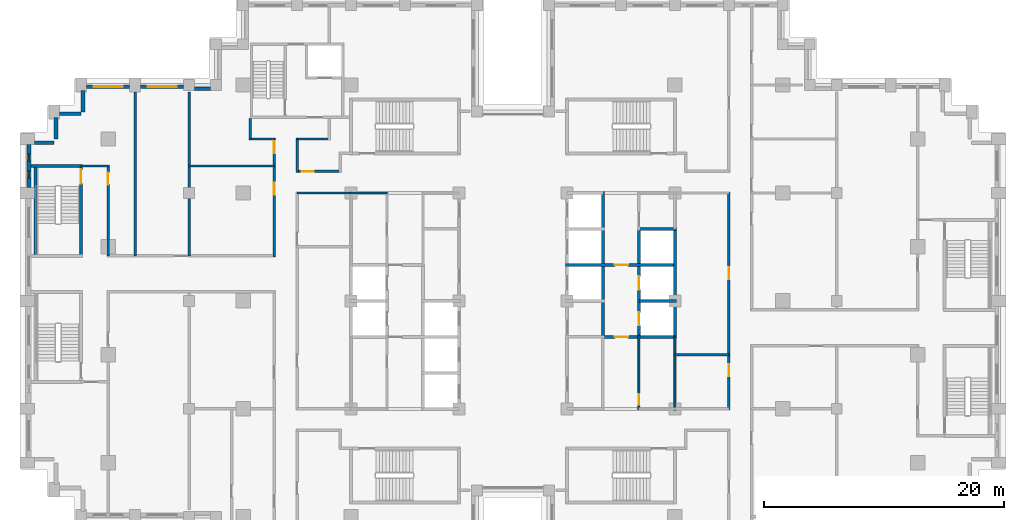
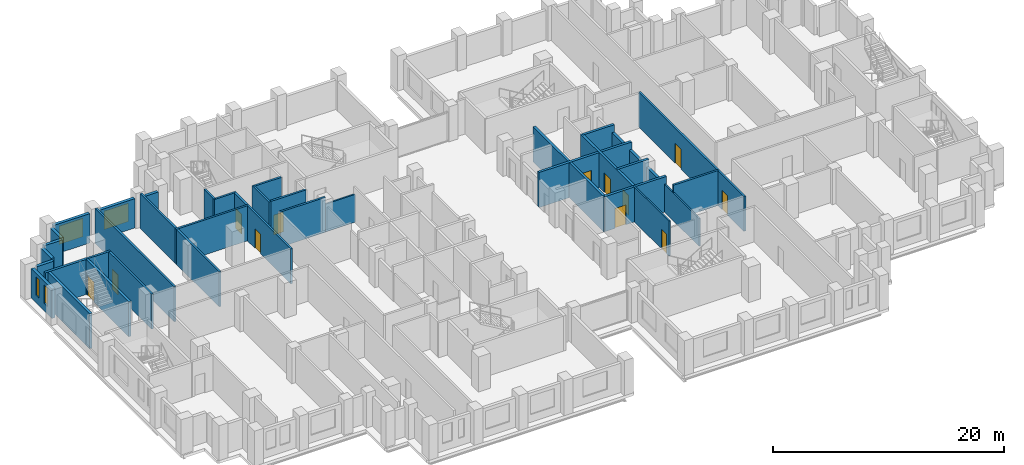
# One storey, part 9 of 15: 35 walls, 12 doors, 4 windows, 16 openings.
"""IFC4 building model written with IfcOpenShell, lengths in metres."""

from ifc_helpers import new_model, si_unit, direction, frame, frame_2d, origin, place, context, subcontext, project, spatial, rectangle, extrude, material, layer, layer_set, type_object, element, fill, save


model = new_model("IFC4")

# Units and contexts
model_context = context("Model", 3, precision=1e-05, world=origin(), true_north=direction((0.0, 1.0)))
body_context = subcontext(model_context, "Body", "Model", "MODEL_VIEW")
ifc_project = project(units=[si_unit("LENGTHUNIT", "METRE"), si_unit("AREAUNIT", "SQUARE_METRE"), si_unit("VOLUMEUNIT", "CUBIC_METRE"), si_unit("PLANEANGLEUNIT", "RADIAN"), si_unit("MASSUNIT", "GRAM", prefix="KILO")], contexts=[model_context])

# Site, building, storey
site_placement = place(None, origin())
site = spatial("IfcSite", under=ifc_project, at=site_placement, CompositionType="ELEMENT")
building_placement = place(site_placement, origin())
building = spatial("IfcBuilding", under=site, at=building_placement, Name="Corbelhall Arena Tower", CompositionType="ELEMENT")
storey_placement = place(building_placement, frame((0.0, 0.0, 92.0)))
storey = spatial("IfcBuildingStorey", under=building, at=storey_placement, Name="L15", CompositionType="ELEMENT", Elevation=92.0)

# Walls
ifc_material_1 = material(Name="Precast concrete C40/50 with granite facing", Category="masonry")
ifc_layer_1 = layer(ifc_material_1, 0.300048828125)
ifc_layer_set_1 = layer_set([ifc_layer_1], Name="EV-IW1 Infill panel 300")
wall_type_1 = type_object("IfcWallType", Name="EV-IW1 Infill panel 300", PredefinedType="SOLIDWALL", material=ifc_layer_set_1)
for number, where, z_axis, x_axis, name in (
    (1, (-35.85009765625, 17.550048828125, 0.0), (0.0, 0.0, 1.0), (0.0, -1.0, 0.0), "Infill panel IW1"),
    (2, (-37.800048828125, 15.60009765625, 0.0), (0.0, 0.0, 1.0), (1.0, 0.0, 0.0), "Infill panel IW1"),
    (3, (-38.10009765625, 15.300048828125, 0.0), (0.0, 0.0, 1.0), (0.0, -1.0, 0.0), "Infill panel IW1"),
):
    element("IfcWall", number, at=place(storey_placement, frame(where, z_axis=z_axis, x_axis=x_axis)), inside=storey, type_object=wall_type_1, Name=name, PredefinedType="SOLIDWALL", context=body_context, shape_type="SweptSolid", body=[
        extrude(rectangle(XDim=1.800048828125, YDim=0.300048828125, at=frame_2d((0.89990234375, 0.0))), origin(), (0.0, 0.0, 1.0), 3.10009765625),
    ])
wall_1_placement = place(storey_placement, frame((-39.89990234375, 13.199951171875, 0.0), z_axis=(0.0, 0.0, 1.0), x_axis=(1.0, 0.0, 0.0)))
element("IfcWall", 4, at=wall_1_placement, inside=storey, type_object=wall_type_1, Name="Infill panel IW1", PredefinedType="SOLIDWALL", context=body_context, shape_type="SweptSolid", body=[
    extrude(rectangle(XDim=1.64990234375, YDim=0.300048828125, at=frame_2d((0.824951171875, 0.0))), origin(), (0.0, 0.0, 1.0), 3.10009765625),
])
wall_2_placement = place(storey_placement, frame((-25.199951171875, 17.699951171875, 0.0), z_axis=(0.0, 0.0, 1.0), x_axis=(-1.0, 0.0, 0.0)))
element("IfcWall", 5, at=wall_2_placement, inside=storey, type_object=wall_type_1, Name="Infill panel IW1", PredefinedType="SOLIDWALL", context=body_context, shape_type="SweptSolid", body=[
    extrude(rectangle(XDim=1.35009765625, YDim=0.300048828125, at=frame_2d((0.675048828125, 0.0))), origin(), (0.0, 0.0, 1.0), 3.10009765625),
])

# Wall, opening, window
wall_3_placement = place(storey_placement, frame((-27.449951171875, 17.85009765625, 0.0), z_axis=(0.0, 0.0, 1.0), x_axis=(-1.0, 0.0, 0.0)))
wall_3 = element("IfcWall", 6, at=wall_3_placement, inside=storey, type_object=wall_type_1, Name="Infill panel IW1", PredefinedType="SOLIDWALL", context=body_context, shape_type="SweptSolid", body=[
    extrude(rectangle(XDim=3.60009765625, YDim=0.300048828125, at=frame_2d((1.800048828125, 0.0))), origin(), (0.0, 0.0, 1.0), 3.10009765625),
])
opening_1_placement = place(wall_3_placement, frame((0.60009765625, 0.0, 0.800048828125)))
opening_1 = element("IfcOpeningElement", 7, at=opening_1_placement, cuts=wall_3, Name="Opening WN1", PredefinedType="OPENING", context=body_context, shape_type="SweptSolid", body=[
    extrude(rectangle(XDim=2.39990234375, YDim=1.949951171875, at=frame_2d((1.199951171875, 0.97509765625))), frame((0.0, 0.14990234375, 0.0), z_axis=(0.0, -1.0, 0.0), x_axis=(1.0, 0.0, 0.0)), (0.0, 0.0, 1.0), 0.300048828125),
])
ifc_material_2 = material(Name="Aluminium black anodised", Category="aluminium")
window_type_1 = type_object("IfcWindowType", Name="EV-WN1 Office window", PartitioningType="SINGLE_PANEL", PredefinedType="WINDOW", material=ifc_material_2)
window_1_placement = place(opening_1_placement, origin())
window_1 = element("IfcWindow", 8, at=window_1_placement, inside=storey, type_object=window_type_1, Name="Window WN1", OverallHeight=1.949951171875, OverallWidth=2.39990234375, PartitioningType="SINGLE_PANEL", PredefinedType="WINDOW", context=body_context, shape_type="SweptSolid", body=[
    extrude(rectangle(XDim=2.39990234375, YDim=1.949951171875, at=frame_2d((1.199951171875, 0.97509765625))), frame((0.0, 0.030029296875, 0.0), z_axis=(0.0, -1.0, 0.0), x_axis=(1.0, 0.0, 0.0)), (0.0, 0.0, 1.0), 0.06005859375),
])
fill(opening_1, window_1)

wall_4_placement = place(storey_placement, frame((-31.949951171875, 17.85009765625, 0.0), z_axis=(0.0, 0.0, 1.0), x_axis=(-1.0, 0.0, 0.0)))
wall_4 = element("IfcWall", 9, at=wall_4_placement, inside=storey, type_object=wall_type_1, Name="Infill panel IW1", PredefinedType="SOLIDWALL", context=body_context, shape_type="SweptSolid", body=[
    extrude(rectangle(XDim=3.60009765625, YDim=0.300048828125, at=frame_2d((1.800048828125, 0.0))), origin(), (0.0, 0.0, 1.0), 3.10009765625),
])
opening_2_placement = place(wall_4_placement, frame((0.60009765625, 0.0, 0.800048828125)))
opening_2 = element("IfcOpeningElement", 10, at=opening_2_placement, cuts=wall_4, Name="Opening WN1", PredefinedType="OPENING", context=body_context, shape_type="SweptSolid", body=[
    extrude(rectangle(XDim=2.39990234375, YDim=1.949951171875, at=frame_2d((1.199951171875, 0.97509765625))), frame((0.0, 0.14990234375, 0.0), z_axis=(0.0, -1.0, 0.0), x_axis=(1.0, 0.0, 0.0)), (0.0, 0.0, 1.0), 0.300048828125),
])
window_2_placement = place(opening_2_placement, origin())
window_2 = element("IfcWindow", 11, at=window_2_placement, inside=storey, type_object=window_type_1, Name="Window WN1", OverallHeight=1.949951171875, OverallWidth=2.39990234375, PartitioningType="SINGLE_PANEL", PredefinedType="WINDOW", context=body_context, shape_type="SweptSolid", body=[
    extrude(rectangle(XDim=2.39990234375, YDim=1.949951171875, at=frame_2d((1.199951171875, 0.97509765625))), frame((0.0, 0.030029296875, 0.0), z_axis=(0.0, -1.0, 0.0), x_axis=(1.0, 0.0, 0.0)), (0.0, 0.0, 1.0), 0.06005859375),
])
fill(opening_2, window_2)

# Wall, openings, windows
wall_5_placement = place(storey_placement, frame((-40.35009765625, 13.050048828125, 0.0), z_axis=(0.0, 0.0, 1.0), x_axis=(0.0, -1.0, 0.0)))
wall_5 = element("IfcWall", 12, at=wall_5_placement, inside=storey, type_object=wall_type_1, Name="Infill panel IW1", PredefinedType="SOLIDWALL", context=body_context, shape_type="SweptSolid", body=[
    extrude(rectangle(XDim=3.60009765625, YDim=0.300048828125, at=frame_2d((1.800048828125, 0.0))), origin(), (0.0, 0.0, 1.0), 3.10009765625),
])
opening_3_placement = place(wall_5_placement, frame((0.78759765625, 0.0, 0.800048828125)))
opening_3 = element("IfcOpeningElement", 13, at=opening_3_placement, cuts=wall_5, Name="Opening WN5", PredefinedType="OPENING", context=body_context, shape_type="SweptSolid", body=[
    extrude(rectangle(XDim=0.60009765625, YDim=1.949951171875, at=frame_2d((0.300048828125, 0.97509765625))), frame((0.0, 0.14990234375, 0.0), z_axis=(0.0, -1.0, 0.0), x_axis=(1.0, 0.0, 0.0)), (0.0, 0.0, 1.0), 0.300048828125),
])
opening_4_placement = place(wall_5_placement, frame((2.21240234375, 0.0, 0.800048828125)))
opening_4 = element("IfcOpeningElement", 14, at=opening_4_placement, cuts=wall_5, Name="Opening WN5", PredefinedType="OPENING", context=body_context, shape_type="SweptSolid", body=[
    extrude(rectangle(XDim=0.60009765625, YDim=1.949951171875, at=frame_2d((0.300048828125, 0.97509765625))), frame((0.0, 0.14990234375, 0.0), z_axis=(0.0, -1.0, 0.0), x_axis=(1.0, 0.0, 0.0)), (0.0, 0.0, 1.0), 0.300048828125),
])
window_type_2 = type_object("IfcWindowType", Name="EV-WN5 Office window 600", PartitioningType="SINGLE_PANEL", PredefinedType="WINDOW", material=ifc_material_2)
window_3_placement = place(opening_3_placement, origin())
window_3 = element("IfcWindow", 15, at=window_3_placement, inside=storey, type_object=window_type_2, Name="Window WN5", OverallHeight=1.949951171875, OverallWidth=0.60009765625, PartitioningType="SINGLE_PANEL", PredefinedType="WINDOW", context=body_context, shape_type="SweptSolid", body=[
    extrude(rectangle(XDim=0.60009765625, YDim=1.949951171875, at=frame_2d((0.300048828125, 0.97509765625))), frame((0.0, 0.030029296875, 0.0), z_axis=(0.0, -1.0, 0.0), x_axis=(1.0, 0.0, 0.0)), (0.0, 0.0, 1.0), 0.06005859375),
])
fill(opening_3, window_3)
window_4_placement = place(opening_4_placement, origin())
window_4 = element("IfcWindow", 16, at=window_4_placement, inside=storey, type_object=window_type_2, Name="Window WN5", OverallHeight=1.949951171875, OverallWidth=0.60009765625, PartitioningType="SINGLE_PANEL", PredefinedType="WINDOW", context=body_context, shape_type="SweptSolid", body=[
    extrude(rectangle(XDim=0.60009765625, YDim=1.949951171875, at=frame_2d((0.300048828125, 0.97509765625))), frame((0.0, 0.030029296875, 0.0), z_axis=(0.0, -1.0, 0.0), x_axis=(1.0, 0.0, 0.0)), (0.0, 0.0, 1.0), 0.06005859375),
])
fill(opening_4, window_4)

# Wall
ifc_material_3 = material(Name="Gypsum board on steel stud, acoustic", Category="steel")
ifc_layer_2 = layer(ifc_material_3, 0.199951171875)
ifc_layer_set_2 = layer_set([ifc_layer_2], Name="IN-W-DM200")
wall_type_2 = type_object("IfcWallType", Name="IN-W-DM200", PredefinedType="PARTITIONING", material=ifc_layer_set_2)
wall_6_placement = place(storey_placement, frame((-36.0, 11.25, 0.0), z_axis=(0.0, 0.0, 1.0), x_axis=(1.0, 0.0, 0.0)))
element("IfcWall", 17, at=wall_6_placement, inside=storey, type_object=wall_type_2, Name="Partition 001", PredefinedType="PARTITIONING", context=body_context, shape_type="SweptSolid", body=[
    extrude(rectangle(XDim=2.35009765625, YDim=0.199951171875, at=frame_2d((1.175048828125, 0.0))), origin(), (0.0, 0.0, 1.0), 3.699951171875),
])

# Wall, opening, door
wall_7_placement = place(storey_placement, frame((-33.75, 11.25, 0.0), z_axis=(0.0, 0.0, 1.0), x_axis=(0.0, -1.0, 0.0)))
wall_7 = element("IfcWall", 18, at=wall_7_placement, inside=storey, type_object=wall_type_2, Name="Partition 004", PredefinedType="PARTITIONING", context=body_context, shape_type="SweptSolid", body=[
    extrude(rectangle(XDim=7.5, YDim=0.199951171875, at=frame_2d((3.75, 0.0))), origin(), (0.0, 0.0, 1.0), 3.699951171875),
])
opening_5_placement = place(wall_7_placement, frame((0.550048828125, 0.0, 0.0)))
opening_5 = element("IfcOpeningElement", 19, at=opening_5_placement, cuts=wall_7, Name="Opening 03041", PredefinedType="OPENING", context=body_context, shape_type="SweptSolid", body=[
    extrude(rectangle(XDim=1.0, YDim=2.10009765625, at=frame_2d((0.5, 1.050048828125))), frame((0.0, 0.10009765625, 0.0), z_axis=(0.0, -1.0, 0.0), x_axis=(1.0, 0.0, 0.0)), (0.0, 0.0, 1.0), 0.199951171875),
])
ifc_material_4 = material(Name="Steel door set", Category="steel")
door_type_1 = type_object("IfcDoorType", Name="IN-D-SW100", OperationType="NOTDEFINED", PredefinedType="DOOR", material=ifc_material_4)
door_1_placement = place(opening_5_placement, origin())
door_1 = element("IfcDoor", 20, at=door_1_placement, inside=storey, type_object=door_type_1, Name="Door 041", OperationType="SINGLE_SWING_RIGHT", OverallHeight=2.10009765625, OverallWidth=1.0, PredefinedType="DOOR", context=body_context, shape_type="SweptSolid", body=[
    extrude(rectangle(XDim=1.0, YDim=2.10009765625, at=frame_2d((0.5, 1.050048828125))), frame((0.0, 0.02490234375, 0.0), z_axis=(0.0, -1.0, 0.0), x_axis=(1.0, 0.0, 0.0)), (0.0, 0.0, 1.0), 0.050048828125),
])
fill(opening_5, door_1)

# Walls
wall_8_placement = place(storey_placement, frame((-31.5, 17.39990234375, 0.0), z_axis=(0.0, 0.0, 1.0), x_axis=(0.0, -1.0, 0.0)))
element("IfcWall", 21, at=wall_8_placement, inside=storey, type_object=wall_type_2, Name="Partition 006", PredefinedType="PARTITIONING", context=body_context, shape_type="SweptSolid", body=[
    extrude(rectangle(XDim=13.64990234375, YDim=0.199951171875, at=frame_2d((6.824951171875, 0.0))), origin(), (0.0, 0.0, 1.0), 3.699951171875),
])
wall_9_placement = place(storey_placement, frame((-27.10009765625, 11.25, 0.0), z_axis=(0.0, 0.0, 1.0), x_axis=(1.0, 0.0, 0.0)))
element("IfcWall", 22, at=wall_9_placement, inside=storey, type_object=wall_type_2, Name="Partition 008", PredefinedType="PARTITIONING", context=body_context, shape_type="SweptSolid", body=[
    extrude(rectangle(XDim=7.2001953125, YDim=0.199951171875, at=frame_2d((3.60009765625, 0.0))), origin(), (0.0, 0.0, 1.0), 3.699951171875),
])
wall_10_placement = place(storey_placement, frame((-27.0, 3.75, 0.0), z_axis=(0.0, 0.0, 1.0), x_axis=(0.0, 1.0, 0.0)))
element("IfcWall", 23, at=wall_10_placement, inside=storey, type_object=wall_type_2, Name="Partition 010", PredefinedType="PARTITIONING", context=body_context, shape_type="SweptSolid", body=[
    extrude(rectangle(XDim=13.64990234375, YDim=0.199951171875, at=frame_2d((6.824951171875, 0.0))), origin(), (0.0, 0.0, 1.0), 3.699951171875),
])
wall_11_placement = place(storey_placement, frame((-21.89990234375, 13.5, 0.0), z_axis=(0.0, 0.0, 1.0), x_axis=(0.0, 1.0, 0.0)))
element("IfcWall", 24, at=wall_11_placement, inside=storey, type_object=wall_type_2, Name="Partition 013", PredefinedType="PARTITIONING", context=body_context, shape_type="SweptSolid", body=[
    extrude(rectangle(XDim=1.699951171875, YDim=0.199951171875, at=frame_2d((0.85009765625, 0.0))), origin(), (0.0, 0.0, 1.0), 3.699951171875),
])

# Wall, openings, doors
wall_12_placement = place(storey_placement, frame((-19.89990234375, 3.64990234375, 0.0), z_axis=(0.0, 0.0, 1.0), x_axis=(0.0, 1.0, 0.0)))
wall_12 = element("IfcWall", 25, at=wall_12_placement, inside=storey, type_object=wall_type_2, Name="Partition 015", PredefinedType="PARTITIONING", context=body_context, shape_type="SweptSolid", body=[
    extrude(rectangle(XDim=9.9501953125, YDim=0.199951171875, at=frame_2d((4.97509765625, 0.0))), origin(), (0.0, 0.0, 1.0), 3.699951171875),
])
opening_6_placement = place(wall_12_placement, frame((5.199951171875, 0.0, 0.0)))
opening_6 = element("IfcOpeningElement", 26, at=opening_6_placement, cuts=wall_12, Name="Opening 03029", PredefinedType="OPENING", context=body_context, shape_type="SweptSolid", body=[
    extrude(rectangle(XDim=1.0, YDim=2.10009765625, at=frame_2d((0.5, 1.050048828125))), frame((0.0, 0.10009765625, 0.0), z_axis=(0.0, -1.0, 0.0), x_axis=(1.0, 0.0, 0.0)), (0.0, 0.0, 1.0), 0.199951171875),
])
opening_7_placement = place(wall_12_placement, frame((8.64990234375, 0.0, 0.0)))
opening_7 = element("IfcOpeningElement", 27, at=opening_7_placement, cuts=wall_12, Name="Opening 03030", PredefinedType="OPENING", context=body_context, shape_type="SweptSolid", body=[
    extrude(rectangle(XDim=1.0, YDim=2.10009765625, at=frame_2d((0.5, 1.050048828125))), frame((0.0, 0.10009765625, 0.0), z_axis=(0.0, -1.0, 0.0), x_axis=(1.0, 0.0, 0.0)), (0.0, 0.0, 1.0), 0.199951171875),
])
door_2_placement = place(opening_6_placement, origin())
door_2 = element("IfcDoor", 28, at=door_2_placement, inside=storey, type_object=door_type_1, Name="Door 029", OperationType="SINGLE_SWING_RIGHT", OverallHeight=2.10009765625, OverallWidth=1.0, PredefinedType="DOOR", context=body_context, shape_type="SweptSolid", body=[
    extrude(rectangle(XDim=1.0, YDim=2.10009765625, at=frame_2d((0.5, 1.050048828125))), frame((0.0, 0.02490234375, 0.0), z_axis=(0.0, -1.0, 0.0), x_axis=(1.0, 0.0, 0.0)), (0.0, 0.0, 1.0), 0.050048828125),
])
fill(opening_6, door_2)
door_3_placement = place(opening_7_placement, origin())
door_3 = element("IfcDoor", 29, at=door_3_placement, inside=storey, type_object=door_type_1, Name="Door 030", OperationType="SINGLE_SWING_LEFT", OverallHeight=2.10009765625, OverallWidth=1.0, PredefinedType="DOOR", context=body_context, shape_type="SweptSolid", body=[
    extrude(rectangle(XDim=1.0, YDim=2.10009765625, at=frame_2d((0.5, 1.050048828125))), frame((0.0, 0.02490234375, 0.0), z_axis=(0.0, -1.0, 0.0), x_axis=(1.0, 0.0, 0.0)), (0.0, 0.0, 1.0), 0.050048828125),
])
fill(opening_7, door_3)

# Wall
wall_13_placement = place(storey_placement, frame((-19.89990234375, 13.5, 0.0), z_axis=(0.0, 0.0, 1.0), x_axis=(-1.0, 0.0, 0.0)))
element("IfcWall", 30, at=wall_13_placement, inside=storey, type_object=wall_type_2, Name="Partition 016", PredefinedType="PARTITIONING", context=body_context, shape_type="SweptSolid", body=[
    extrude(rectangle(XDim=2.10009765625, YDim=0.199951171875, at=frame_2d((1.050048828125, 0.0))), origin(), (0.0, 0.0, 1.0), 3.699951171875),
])

# Wall, opening, door
wall_14_placement = place(storey_placement, frame((-18.0, 10.800048828125, 0.0), z_axis=(0.0, 0.0, 1.0), x_axis=(1.0, 0.0, 0.0)))
wall_14 = element("IfcWall", 31, at=wall_14_placement, inside=storey, type_object=wall_type_2, Name="Partition 021", PredefinedType="PARTITIONING", context=body_context, shape_type="SweptSolid", body=[
    extrude(rectangle(XDim=3.60009765625, YDim=0.199951171875, at=frame_2d((1.800048828125, 0.0))), origin(), (0.0, 0.0, 1.0), 3.699951171875),
])
opening_8_placement = place(wall_14_placement, frame((0.39990234375, 0.0, 0.0)))
opening_8 = element("IfcOpeningElement", 32, at=opening_8_placement, cuts=wall_14, Name="Opening 03025", PredefinedType="OPENING", context=body_context, shape_type="SweptSolid", body=[
    extrude(rectangle(XDim=1.0, YDim=2.10009765625, at=frame_2d((0.5, 1.050048828125))), frame((0.0, 0.10009765625, 0.0), z_axis=(0.0, -1.0, 0.0), x_axis=(1.0, 0.0, 0.0)), (0.0, 0.0, 1.0), 0.199951171875),
])
door_4_placement = place(opening_8_placement, origin())
door_4 = element("IfcDoor", 33, at=door_4_placement, inside=storey, type_object=door_type_1, Name="Door 025", OperationType="SINGLE_SWING_RIGHT", OverallHeight=2.10009765625, OverallWidth=1.0, PredefinedType="DOOR", context=body_context, shape_type="SweptSolid", body=[
    extrude(rectangle(XDim=1.0, YDim=2.10009765625, at=frame_2d((0.5, 1.050048828125))), frame((0.0, 0.02490234375, 0.0), z_axis=(0.0, -1.0, 0.0), x_axis=(1.0, 0.0, 0.0)), (0.0, 0.0, 1.0), 0.050048828125),
])
fill(opening_8, door_4)

# Walls
wall_15_placement = place(storey_placement, frame((-18.0, 13.60009765625, 0.0), z_axis=(0.0, 0.0, 1.0), x_axis=(0.0, -1.0, 0.0)))
element("IfcWall", 34, at=wall_15_placement, inside=storey, type_object=wall_type_2, Name="Partition 022", PredefinedType="PARTITIONING", context=body_context, shape_type="SweptSolid", body=[
    extrude(rectangle(XDim=2.900146484375, YDim=0.199951171875, at=frame_2d((1.4501953125, 0.0))), origin(), (0.0, 0.0, 1.0), 3.699951171875),
])
wall_16_placement = place(storey_placement, frame((-15.300048828125, 13.5, 0.0), z_axis=(0.0, 0.0, 1.0), x_axis=(-1.0, 0.0, 0.0)))
element("IfcWall", 35, at=wall_16_placement, inside=storey, type_object=wall_type_2, Name="Partition 023", PredefinedType="PARTITIONING", context=body_context, shape_type="SweptSolid", body=[
    extrude(rectangle(XDim=2.699951171875, YDim=0.199951171875, at=frame_2d((1.35009765625, 0.0))), origin(), (0.0, 0.0, 1.0), 3.699951171875),
])
for number, where, z_axis, x_axis, name in (
    (36, (-13.5, 9.0, 0.0), (0.0, 0.0, 1.0), (-1.0, 0.0, 0.0), "Partition 029"),
    (37, (13.5, -4.5, 0.0), (0.0, 0.0, 1.0), (1.0, 0.0, 0.0), "Partition 038"),
):
    element("IfcWall", number, at=place(storey_placement, frame(where, z_axis=z_axis, x_axis=x_axis)), inside=storey, type_object=wall_type_2, Name=name, PredefinedType="PARTITIONING", context=body_context, shape_type="SweptSolid", body=[
        extrude(rectangle(XDim=4.5, YDim=0.199951171875, at=frame_2d((2.25, 0.0))), origin(), (0.0, 0.0, 1.0), 3.699951171875),
    ])

# Wall, openings, doors
wall_17_placement = place(storey_placement, frame((18.0, -9.10009765625, 0.0), z_axis=(0.0, 0.0, 1.0), x_axis=(0.0, 1.0, 0.0)))
wall_17 = element("IfcWall", 38, at=wall_17_placement, inside=storey, type_object=wall_type_2, Name="Partition 046", PredefinedType="PARTITIONING", context=body_context, shape_type="SweptSolid", body=[
    extrude(rectangle(XDim=18.2001953125, YDim=0.199951171875, at=frame_2d((9.10009765625, 0.0))), origin(), (0.0, 0.0, 1.0), 3.699951171875),
])
opening_9_placement = place(wall_17_placement, frame((2.800048828125, 0.0, 0.0)))
opening_9 = element("IfcOpeningElement", 39, at=opening_9_placement, cuts=wall_17, Name="Opening 03023", PredefinedType="OPENING", context=body_context, shape_type="SweptSolid", body=[
    extrude(rectangle(XDim=1.0, YDim=2.10009765625, at=frame_2d((0.5, 1.050048828125))), frame((0.0, 0.10009765625, 0.0), z_axis=(0.0, -1.0, 0.0), x_axis=(1.0, 0.0, 0.0)), (0.0, 0.0, 1.0), 0.199951171875),
])
opening_10_placement = place(wall_17_placement, frame((10.89990234375, 0.0, 0.0)))
opening_10 = element("IfcOpeningElement", 40, at=opening_10_placement, cuts=wall_17, Name="Opening 03024", PredefinedType="OPENING", context=body_context, shape_type="SweptSolid", body=[
    extrude(rectangle(XDim=1.0, YDim=2.10009765625, at=frame_2d((0.5, 1.050048828125))), frame((0.0, 0.10009765625, 0.0), z_axis=(0.0, -1.0, 0.0), x_axis=(1.0, 0.0, 0.0)), (0.0, 0.0, 1.0), 0.199951171875),
])
door_5_placement = place(opening_9_placement, origin())
door_5 = element("IfcDoor", 41, at=door_5_placement, inside=storey, type_object=door_type_1, Name="Door 023", OperationType="SINGLE_SWING_RIGHT", OverallHeight=2.10009765625, OverallWidth=1.0, PredefinedType="DOOR", context=body_context, shape_type="SweptSolid", body=[
    extrude(rectangle(XDim=1.0, YDim=2.10009765625, at=frame_2d((0.5, 1.050048828125))), frame((0.0, 0.02490234375, 0.0), z_axis=(0.0, -1.0, 0.0), x_axis=(1.0, 0.0, 0.0)), (0.0, 0.0, 1.0), 0.050048828125),
])
fill(opening_9, door_5)
door_6_placement = place(opening_10_placement, origin())
door_6 = element("IfcDoor", 42, at=door_6_placement, inside=storey, type_object=door_type_1, Name="Door 024", OperationType="SINGLE_SWING_LEFT", OverallHeight=2.10009765625, OverallWidth=1.0, PredefinedType="DOOR", context=body_context, shape_type="SweptSolid", body=[
    extrude(rectangle(XDim=1.0, YDim=2.10009765625, at=frame_2d((0.5, 1.050048828125))), frame((0.0, 0.02490234375, 0.0), z_axis=(0.0, -1.0, 0.0), x_axis=(1.0, 0.0, 0.0)), (0.0, 0.0, 1.0), 0.050048828125),
])
fill(opening_10, door_6)

# Wall, opening, door
ifc_material_5 = material(Name="Concrete C40/50", Category="concrete")
ifc_layer_3 = layer(ifc_material_5, 0.25)
ifc_layer_set_3 = layer_set([ifc_layer_3], Name="IN-W-SH250")
wall_type_3 = type_object("IfcWallType", Name="IN-W-SH250", PredefinedType="SOLIDWALL", material=ifc_layer_set_3)
wall_18_placement = place(storey_placement, frame((4.375, 3.0, 0.0), z_axis=(0.0, 0.0, 1.0), x_axis=(1.0, 0.0, 0.0)))
wall_18 = element("IfcWall", 43, at=wall_18_placement, inside=storey, type_object=wall_type_3, Name="Shaft wall 085", PredefinedType="SOLIDWALL", context=body_context, shape_type="SweptSolid", body=[
    extrude(rectangle(XDim=9.25, YDim=0.25, at=frame_2d((4.625, 0.0))), origin(), (0.0, 0.0, 1.0), 3.699951171875),
])
opening_11_placement = place(wall_18_placement, frame((4.125, 0.0, 0.0)))
opening_11 = element("IfcOpeningElement", 44, at=opening_11_placement, cuts=wall_18, Name="Opening 03010", PredefinedType="OPENING", context=body_context, shape_type="SweptSolid", body=[
    extrude(rectangle(XDim=1.10009765625, YDim=2.10009765625, at=frame_2d((0.550048828125, 1.050048828125))), frame((0.0, 0.125, 0.0), z_axis=(0.0, -1.0, 0.0), x_axis=(1.0, 0.0, 0.0)), (0.0, 0.0, 1.0), 0.25),
])
door_type_2 = type_object("IfcDoorType", Name="IN-D-FD110", OperationType="NOTDEFINED", PredefinedType="DOOR", material=ifc_material_4)
door_7_placement = place(opening_11_placement, origin())
door_7 = element("IfcDoor", 45, at=door_7_placement, inside=storey, type_object=door_type_2, Name="Door 010", OperationType="SINGLE_SWING_LEFT", OverallHeight=2.10009765625, OverallWidth=1.10009765625, PredefinedType="DOOR", context=body_context, shape_type="SweptSolid", body=[
    extrude(rectangle(XDim=1.10009765625, YDim=2.10009765625, at=frame_2d((0.550048828125, 1.050048828125))), frame((0.0, 0.02490234375, 0.0), z_axis=(0.0, -1.0, 0.0), x_axis=(1.0, 0.0, 0.0)), (0.0, 0.0, 1.0), 0.050048828125),
])
fill(opening_11, door_7)

wall_19_placement = place(storey_placement, frame((7.5, -3.0, 0.0), z_axis=(0.0, 0.0, 1.0), x_axis=(1.0, 0.0, 0.0)))
wall_19 = element("IfcWall", 46, at=wall_19_placement, inside=storey, type_object=wall_type_3, Name="Shaft wall 089", PredefinedType="SOLIDWALL", context=body_context, shape_type="SweptSolid", body=[
    extrude(rectangle(XDim=6.125, YDim=0.25, at=frame_2d((3.0625, 0.0))), origin(), (0.0, 0.0, 1.0), 3.699951171875),
])
opening_12_placement = place(wall_19_placement, frame((1.0, 0.0, 0.0)))
opening_12 = element("IfcOpeningElement", 47, at=opening_12_placement, cuts=wall_19, Name="Opening 03009", PredefinedType="OPENING", context=body_context, shape_type="SweptSolid", body=[
    extrude(rectangle(XDim=1.10009765625, YDim=2.10009765625, at=frame_2d((0.550048828125, 1.050048828125))), frame((0.0, 0.125, 0.0), z_axis=(0.0, -1.0, 0.0), x_axis=(1.0, 0.0, 0.0)), (0.0, 0.0, 1.0), 0.25),
])
door_8_placement = place(opening_12_placement, origin())
door_8 = element("IfcDoor", 48, at=door_8_placement, inside=storey, type_object=door_type_2, Name="Door 009", OperationType="SINGLE_SWING_RIGHT", OverallHeight=2.10009765625, OverallWidth=1.10009765625, PredefinedType="DOOR", context=body_context, shape_type="SweptSolid", body=[
    extrude(rectangle(XDim=1.10009765625, YDim=2.10009765625, at=frame_2d((0.550048828125, 1.050048828125))), frame((0.0, 0.02490234375, 0.0), z_axis=(0.0, -1.0, 0.0), x_axis=(1.0, 0.0, 0.0)), (0.0, 0.0, 1.0), 0.050048828125),
])
fill(opening_12, door_8)

# Walls
wall_20_placement = place(storey_placement, frame((7.5, 9.125, 0.0), z_axis=(0.0, 0.0, 1.0), x_axis=(0.0, -1.0, 0.0)))
element("IfcWall", 49, at=wall_20_placement, inside=storey, type_object=wall_type_3, Name="Shaft wall 090", PredefinedType="SOLIDWALL", context=body_context, shape_type="SweptSolid", body=[
    extrude(rectangle(XDim=12.25, YDim=0.25, at=frame_2d((6.125, 0.0))), origin(), (0.0, 0.0, 1.0), 3.699951171875),
])
wall_21_placement = place(storey_placement, frame((10.5, 0.0, 0.0), z_axis=(0.0, 0.0, 1.0), x_axis=(1.0, 0.0, 0.0)))
element("IfcWall", 50, at=wall_21_placement, inside=storey, type_object=wall_type_3, Name="Shaft wall 091", PredefinedType="SOLIDWALL", context=body_context, shape_type="SweptSolid", body=[
    extrude(rectangle(XDim=3.125, YDim=0.25, at=frame_2d((1.5625, 0.0))), origin(), (0.0, 0.0, 1.0), 3.699951171875),
])

# Wall, openings, doors
wall_22_placement = place(storey_placement, frame((10.5, 6.125, 0.0), z_axis=(0.0, 0.0, 1.0), x_axis=(0.0, -1.0, 0.0)))
wall_22 = element("IfcWall", 51, at=wall_22_placement, inside=storey, type_object=wall_type_3, Name="Shaft wall 092", PredefinedType="SOLIDWALL", context=body_context, shape_type="SweptSolid", body=[
    extrude(rectangle(XDim=9.25, YDim=0.25, at=frame_2d((4.625, 0.0))), origin(), (0.0, 0.0, 1.0), 3.699951171875),
])
opening_13_placement = place(wall_22_placement, frame((7.074951171875, 0.0, 0.0)))
opening_13 = element("IfcOpeningElement", 52, at=opening_13_placement, cuts=wall_22, Name="Opening LD", PredefinedType="OPENING", context=body_context, shape_type="SweptSolid", body=[
    extrude(rectangle(XDim=1.10009765625, YDim=2.10009765625, at=frame_2d((0.550048828125, 1.050048828125))), frame((0.0, 0.125, 0.0), z_axis=(0.0, -1.0, 0.0), x_axis=(1.0, 0.0, 0.0)), (0.0, 0.0, 1.0), 0.25),
])
opening_14_placement = place(wall_22_placement, frame((4.074951171875, 0.0, 0.0)))
opening_14 = element("IfcOpeningElement", 53, at=opening_14_placement, cuts=wall_22, Name="Opening LD", PredefinedType="OPENING", context=body_context, shape_type="SweptSolid", body=[
    extrude(rectangle(XDim=1.10009765625, YDim=2.10009765625, at=frame_2d((0.550048828125, 1.050048828125))), frame((0.0, 0.125, 0.0), z_axis=(0.0, -1.0, 0.0), x_axis=(1.0, 0.0, 0.0)), (0.0, 0.0, 1.0), 0.25),
])
door_type_3 = type_object("IfcDoorType", Name="IN-D-LD110", OperationType="NOTDEFINED", PredefinedType="DOOR", material=ifc_material_4)
door_9_placement = place(opening_13_placement, origin())
door_9 = element("IfcDoor", 54, at=door_9_placement, inside=storey, type_object=door_type_3, Name="Landing door E3", OperationType="SLIDING_TO_LEFT", OverallHeight=2.10009765625, OverallWidth=1.10009765625, PredefinedType="DOOR", context=body_context, shape_type="SweptSolid", body=[
    extrude(rectangle(XDim=1.10009765625, YDim=2.10009765625, at=frame_2d((0.550048828125, 1.050048828125))), frame((0.0, 0.02490234375, 0.0), z_axis=(0.0, -1.0, 0.0), x_axis=(1.0, 0.0, 0.0)), (0.0, 0.0, 1.0), 0.050048828125),
])
fill(opening_13, door_9)
door_10_placement = place(opening_14_placement, origin())
door_10 = element("IfcDoor", 55, at=door_10_placement, inside=storey, type_object=door_type_3, Name="Landing door E4", OperationType="SLIDING_TO_LEFT", OverallHeight=2.10009765625, OverallWidth=1.10009765625, PredefinedType="DOOR", context=body_context, shape_type="SweptSolid", body=[
    extrude(rectangle(XDim=1.10009765625, YDim=2.10009765625, at=frame_2d((0.550048828125, 1.050048828125))), frame((0.0, 0.02490234375, 0.0), z_axis=(0.0, -1.0, 0.0), x_axis=(1.0, 0.0, 0.0)), (0.0, 0.0, 1.0), 0.050048828125),
])
fill(opening_14, door_10)

# Walls
wall_23_placement = place(storey_placement, frame((10.5, 6.0, 0.0), z_axis=(0.0, 0.0, 1.0), x_axis=(1.0, 0.0, 0.0)))
element("IfcWall", 56, at=wall_23_placement, inside=storey, type_object=wall_type_3, Name="Shaft wall 093", PredefinedType="SOLIDWALL", context=body_context, shape_type="SweptSolid", body=[
    extrude(rectangle(XDim=3.125, YDim=0.25, at=frame_2d((1.5625, 0.0))), origin(), (0.0, 0.0, 1.0), 3.699951171875),
])
ifc_layer_4 = layer(ifc_material_5, 0.25)
ifc_layer_set_4 = layer_set([ifc_layer_4], Name="IN-W-SH250 under beam 762 mm")
wall_type_4 = type_object("IfcWallType", Name="IN-W-SH250 under beam 762 mm", PredefinedType="SOLIDWALL", material=ifc_layer_set_4)
wall_24_placement = place(storey_placement, frame((13.5, 6.0, 0.0), z_axis=(0.0, 0.0, 1.0), x_axis=(0.0, -1.0, 0.0)))
element("IfcWall", 57, at=wall_24_placement, inside=storey, type_object=wall_type_4, Name="Shaft wall 094", PredefinedType="SOLIDWALL", context=body_context, shape_type="SweptSolid", body=[
    extrude(rectangle(XDim=9.0, YDim=0.25, at=frame_2d((4.5, 0.0))), origin(), (0.0, 0.0, 1.0), 2.93798828125),
])
ifc_layer_5 = layer(ifc_material_5, 0.25)
ifc_layer_set_5 = layer_set([ifc_layer_5], Name="IN-W-ST250")
wall_type_5 = type_object("IfcWallType", Name="IN-W-ST250", PredefinedType="SOLIDWALL", material=ifc_layer_set_5)
wall_25_placement = place(storey_placement, frame((-40.199951171875, 11.25, 0.0), z_axis=(0.0, 0.0, 1.0), x_axis=(1.0, 0.0, 0.0)))
element("IfcWall", 58, at=wall_25_placement, inside=storey, type_object=wall_type_5, Name="Shaft wall 096", PredefinedType="SOLIDWALL", context=body_context, shape_type="SweptSolid", body=[
    extrude(rectangle(XDim=4.199951171875, YDim=0.25, at=frame_2d((2.10009765625, 0.0))), origin(), (0.0, 0.0, 1.0), 3.699951171875),
])

# Wall, opening, door
wall_26_placement = place(storey_placement, frame((-36.0, 11.375, 0.0), z_axis=(0.0, 0.0, 1.0), x_axis=(0.0, -1.0, 0.0)))
wall_26 = element("IfcWall", 59, at=wall_26_placement, inside=storey, type_object=wall_type_5, Name="Shaft wall 099", PredefinedType="SOLIDWALL", context=body_context, shape_type="SweptSolid", body=[
    extrude(rectangle(XDim=7.625, YDim=0.25, at=frame_2d((3.8125, 0.0))), origin(), (0.0, 0.0, 1.0), 3.699951171875),
])
opening_15_placement = place(wall_26_placement, frame((0.39990234375, 0.0, 0.0)))
opening_15 = element("IfcOpeningElement", 60, at=opening_15_placement, cuts=wall_26, Name="Opening 03017", PredefinedType="OPENING", context=body_context, shape_type="SweptSolid", body=[
    extrude(rectangle(XDim=1.199951171875, YDim=2.10009765625, at=frame_2d((0.60009765625, 1.050048828125))), frame((0.0, 0.125, 0.0), z_axis=(0.0, -1.0, 0.0), x_axis=(1.0, 0.0, 0.0)), (0.0, 0.0, 1.0), 0.25),
])
door_type_4 = type_object("IfcDoorType", Name="IN-D-ST120", OperationType="NOTDEFINED", PredefinedType="DOOR", material=ifc_material_4)
door_11_placement = place(opening_15_placement, origin())
door_11 = element("IfcDoor", 61, at=door_11_placement, inside=storey, type_object=door_type_4, Name="Door 017", OperationType="SINGLE_SWING_RIGHT", OverallHeight=2.10009765625, OverallWidth=1.199951171875, PredefinedType="DOOR", context=body_context, shape_type="SweptSolid", body=[
    extrude(rectangle(XDim=1.199951171875, YDim=2.10009765625, at=frame_2d((0.60009765625, 1.050048828125))), frame((0.0, 0.02490234375, 0.0), z_axis=(0.0, -1.0, 0.0), x_axis=(1.0, 0.0, 0.0)), (0.0, 0.0, 1.0), 0.050048828125),
])
fill(opening_15, door_11)

# Wall
wall_27_placement = place(storey_placement, frame((-39.824951171875, 3.875, 0.0), z_axis=(0.0, 0.0, 1.0), x_axis=(0.0, 1.0, 0.0)))
element("IfcWall", 62, at=wall_27_placement, inside=storey, type_object=wall_type_5, Name="Shaft wall SC1 facade side", PredefinedType="SOLIDWALL", context=body_context, shape_type="SweptSolid", body=[
    extrude(rectangle(XDim=7.25, YDim=0.25, at=frame_2d((3.625, 0.0))), origin(), (0.0, 0.0, 1.0), 3.699951171875),
])

# Wall, opening, door
ifc_material_6 = material(Name="Gypsum board on steel stud, moisture resistant", Category="steel")
ifc_layer_6 = layer(ifc_material_6, 0.14990234375)
ifc_layer_set_6 = layer_set([ifc_layer_6], Name="IN-W-WC150")
wall_type_6 = type_object("IfcWallType", Name="IN-W-WC150", PredefinedType="PARTITIONING", material=ifc_layer_set_6)
wall_28_placement = place(storey_placement, frame((10.5, -2.875, 0.0), z_axis=(0.0, 0.0, 1.0), x_axis=(0.0, -1.0, 0.0)))
wall_28 = element("IfcWall", 63, at=wall_28_placement, inside=storey, type_object=wall_type_6, Name="Partition 129", PredefinedType="PARTITIONING", context=body_context, shape_type="SweptSolid", body=[
    extrude(rectangle(XDim=6.199951171875, YDim=0.14990234375, at=frame_2d((3.10009765625, 0.0))), origin(), (0.0, 0.0, 1.0), 3.699951171875),
])
opening_16_placement = place(wall_28_placement, frame((4.89990234375, 0.0, 0.0)))
opening_16 = element("IfcOpeningElement", 64, at=opening_16_placement, cuts=wall_28, Name="Opening 03011", PredefinedType="OPENING", context=body_context, shape_type="SweptSolid", body=[
    extrude(rectangle(XDim=0.89990234375, YDim=2.10009765625, at=frame_2d((0.449951171875, 1.050048828125))), frame((0.0, 0.074951171875, 0.0), z_axis=(0.0, -1.0, 0.0), x_axis=(1.0, 0.0, 0.0)), (0.0, 0.0, 1.0), 0.14990234375),
])
ifc_material_7 = material(Name="Timber door set", Category="wood")
door_type_5 = type_object("IfcDoorType", Name="IN-D-SW90", OperationType="NOTDEFINED", PredefinedType="DOOR", material=ifc_material_7)
door_12_placement = place(opening_16_placement, origin())
door_12 = element("IfcDoor", 65, at=door_12_placement, inside=storey, type_object=door_type_5, Name="Door 011", OperationType="SINGLE_SWING_RIGHT", OverallHeight=2.10009765625, OverallWidth=0.89990234375, PredefinedType="DOOR", context=body_context, shape_type="SweptSolid", body=[
    extrude(rectangle(XDim=0.89990234375, YDim=2.10009765625, at=frame_2d((0.449951171875, 1.050048828125))), frame((0.0, 0.02490234375, 0.0), z_axis=(0.0, -1.0, 0.0), x_axis=(1.0, 0.0, 0.0)), (0.0, 0.0, 1.0), 0.050048828125),
])
fill(opening_16, door_12)

# Walls
ifc_layer_7 = layer(ifc_material_6, 0.14990234375)
ifc_layer_set_7 = layer_set([ifc_layer_7], Name="IN-W-WC150 under beam 762 mm")
wall_type_7 = type_object("IfcWallType", Name="IN-W-WC150 under beam 762 mm", PredefinedType="PARTITIONING", material=ifc_layer_set_7)
wall_29_placement = place(storey_placement, frame((-13.574951171875, 9.0, 0.0), z_axis=(0.0, 0.0, 1.0), x_axis=(1.0, 0.0, 0.0)))
element("IfcWall", 66, at=wall_29_placement, inside=storey, type_object=wall_type_7, Name="Partition 123", PredefinedType="PARTITIONING", context=body_context, shape_type="SweptSolid", body=[
    extrude(rectangle(XDim=3.074951171875, YDim=0.14990234375, at=frame_2d((1.53759765625, 0.0))), origin(), (0.0, 0.0, 1.0), 2.93798828125),
])
wall_30_placement = place(storey_placement, frame((13.5, -3.0, 0.0), z_axis=(0.0, 0.0, 1.0), x_axis=(0.0, -1.0, 0.0)))
element("IfcWall", 67, at=wall_30_placement, inside=storey, type_object=wall_type_7, Name="Partition 130", PredefinedType="PARTITIONING", context=body_context, shape_type="SweptSolid", body=[
    extrude(rectangle(XDim=6.10009765625, YDim=0.14990234375, at=frame_2d((3.050048828125, 0.0))), origin(), (0.0, 0.0, 1.0), 2.93798828125),
])

save(model, "model.ifc")
